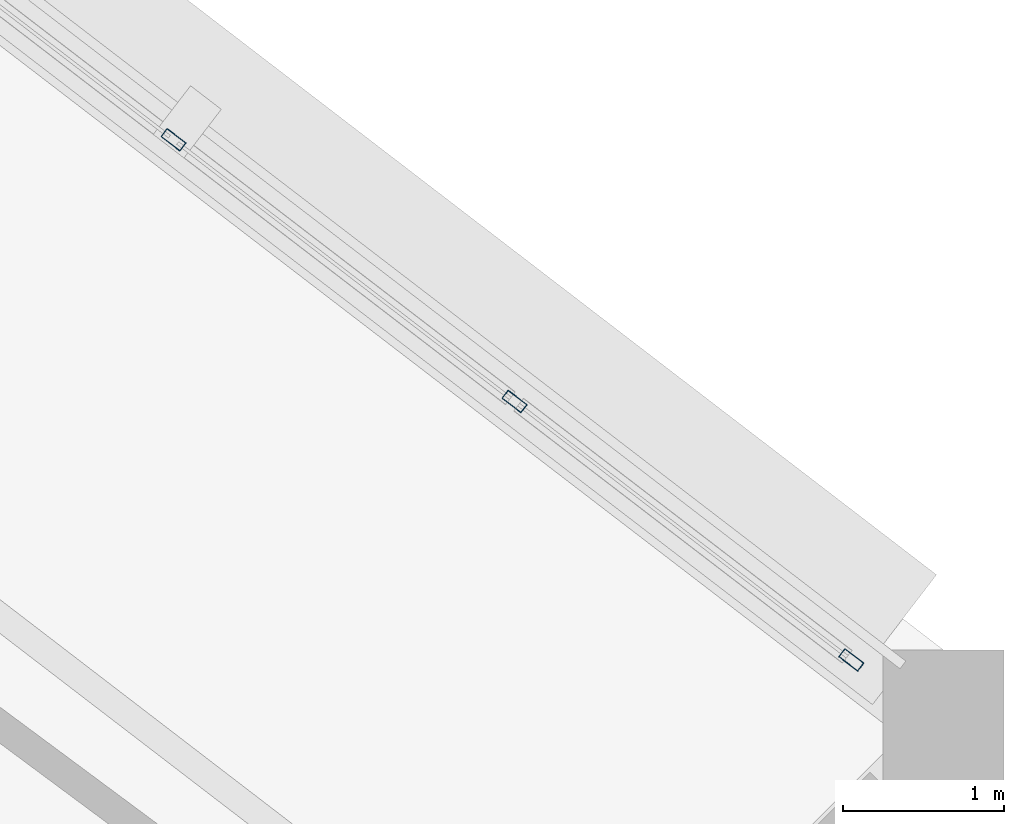
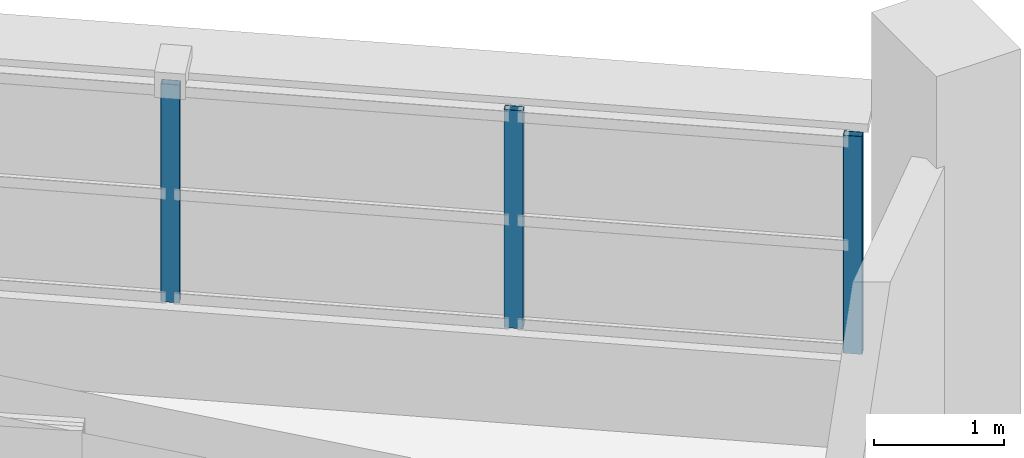
# One storey, part 37 of 53: 3 members, 1 element without a shape of its own.
"""IFC4 building model written with IfcOpenShell, lengths in metres."""

import ifcopenshell
import ifcopenshell.guid

model = None  # the IFC model being written
_history = None  # IfcOwnerHistory: only IFC2X3 demands one
_inside = {}  # id of a spatial element -> (the spatial element, [elements in it])
_under = {}  # id of a project, library or spatial element -> (it, [spatial elements below it])
_declared = {}  # id of a project -> (the project, [libraries it declares])
_typed = {}  # id of a type object -> (the type object, [elements of that type])
_made_of = {}  # id of a material, layer set ... -> (it, [elements and type objects made of it])


def new_model(schema):
    """Start an empty IFC model of exactly this schema.

    Asked for "IFC4X3", IfcOpenShell would pick the latest addendum, in which some entities
    have other attributes; the version numbers below select the first issue.
    IFC2X3 requires an IfcOwnerHistory on every rooted entity: one is made here for all.
    """
    global model, _history
    if schema == "IFC4X3":
        model = ifcopenshell.file(schema_version=(4, 3, 0, 0))
    else:
        model = ifcopenshell.file(schema=schema)
    _inside.clear()
    _under.clear()
    _declared.clear()
    _typed.clear()
    _made_of.clear()
    _history = None
    if model.schema == "IFC2X3":
        org = make("IfcOrganization", Name="unknown")
        user = make(
            "IfcPersonAndOrganization",
            ThePerson=make("IfcPerson", FamilyName="unknown"),
            TheOrganization=org,
        )
        app = make(
            "IfcApplication",
            ApplicationDeveloper=org,
            Version="unknown",
            ApplicationFullName="unknown",
            ApplicationIdentifier="unknown",
        )
        _history = make(
            "IfcOwnerHistory",
            OwningUser=user,
            OwningApplication=app,
            ChangeAction="ADDED",
            CreationDate=0,
        )
    return model


def make(cls, **values):
    """One entity of the class cls with the attributes given. An attribute that is None is left unset."""
    return model.create_entity(
        cls, **{name: value for name, value in values.items() if value is not None}
    )


def rooted(cls, **values):
    """An entity with a GlobalId (a new one), such as an element, a storey or a relation."""
    return make(cls, GlobalId=ifcopenshell.guid.new(), OwnerHistory=_history, **values)


def si_unit(unit_type, name, prefix=None):
    """IfcSIUnit, for example si_unit("LENGTHUNIT", "METRE", prefix="MILLI")."""
    return make("IfcSIUnit", UnitType=unit_type, Prefix=prefix, Name=name)


def assignment(units):
    """IfcUnitAssignment: the units of a project."""
    return None if units is None else make("IfcUnitAssignment", Units=units)


def point(xyz):
    """IfcCartesianPoint."""
    return None if xyz is None else make("IfcCartesianPoint", Coordinates=xyz)


def direction(xyz):
    """IfcDirection."""
    return None if xyz is None else make("IfcDirection", DirectionRatios=xyz)


def frame(location, z_axis=None, x_axis=None):
    """IfcAxis2Placement3D, a coordinate frame: its origin and axes. An axis left out is left unset."""
    return make(
        "IfcAxis2Placement3D",
        Location=point(location),
        Axis=direction(z_axis),
        RefDirection=direction(x_axis),
    )


def frame_2d(location, x_axis=None):
    """IfcAxis2Placement2D, a coordinate frame in the plane: its origin and x axis."""
    return make(
        "IfcAxis2Placement2D", Location=point(location), RefDirection=direction(x_axis)
    )


def origin():
    """The frame at (0, 0, 0) with its axes left unset."""
    return frame((0.0, 0.0, 0.0))


def origin_2d():
    """The frame at (0, 0) in the plane with its x axis left unset."""
    return frame_2d((0.0, 0.0))


def place(relative_to, where):
    """IfcLocalPlacement: puts the frame where relative to a parent placement (None: the world)."""
    return make(
        "IfcLocalPlacement", PlacementRelTo=relative_to, RelativePlacement=where
    )


def context(
    kind, dimensions, precision=None, world=None, true_north=None, identifier=None
):
    """IfcGeometricRepresentationContext, for example the 3D "Model" context."""
    return make(
        "IfcGeometricRepresentationContext",
        ContextIdentifier=identifier,
        ContextType=kind,
        CoordinateSpaceDimension=dimensions,
        Precision=precision,
        WorldCoordinateSystem=world,
        TrueNorth=true_north,
    )


def subcontext(parent, identifier, kind, view, scale=None):
    """IfcGeometricRepresentationSubContext, for example "Body" below "Model"."""
    return make(
        "IfcGeometricRepresentationSubContext",
        ContextIdentifier=identifier,
        ContextType=kind,
        ParentContext=parent,
        TargetScale=scale,
        TargetView=view,
    )


def project(units=None, contexts=None):
    """IfcProject with its units and contexts."""
    return rooted(
        "IfcProject",
        Name="project",
        RepresentationContexts=contexts,
        UnitsInContext=assignment(units),
    )


def spatial(cls, under=None, at=None, **own):
    """A site, building, storey or space (cls), placed at a placement, below another one or the project."""
    s = rooted(cls, ObjectPlacement=at, **own)
    if under is not None:
        _under.setdefault(under.id(), (under, []))[1].append(s)
    return s


def profile(cls, at=None, kind="AREA", **sizes):
    """A parametric profile (cls). Its sizes go by their IFC names, for example OverallWidth=200.0."""
    return make(cls, ProfileType=kind, Position=at, **sizes)


def hollow_rectangle(**sizes):
    """IfcRectangleHollowProfileDef."""
    return profile("IfcRectangleHollowProfileDef", **sizes)


def extrude(swept, where, along, depth):
    """IfcExtrudedAreaSolid: the profile swept, set in the frame where, extruded along a direction by depth."""
    return make(
        "IfcExtrudedAreaSolid",
        SweptArea=swept,
        Position=where,
        ExtrudedDirection=direction(along),
        Depth=depth,
    )


def shape(context_of_items, identifier, shape_type, items):
    """IfcShapeRepresentation: the items that make up one representation, for example the "Body"."""
    return make(
        "IfcShapeRepresentation",
        ContextOfItems=context_of_items,
        RepresentationIdentifier=identifier,
        RepresentationType=shape_type,
        Items=items,
    )


def material(Name=None, Category=None):
    """IfcMaterial."""
    return make("IfcMaterial", Name=Name, Category=Category)


def layer(
    of_material, thickness, ventilated=None, Name=None, Category=None, Priority=None
):
    """IfcMaterialLayer: one layer of a wall or slab, of a material (None: an air gap)."""
    return make(
        "IfcMaterialLayer",
        Material=of_material,
        LayerThickness=thickness,
        IsVentilated=ventilated,
        Name=Name,
        Category=Category,
        Priority=Priority,
    )


def layer_set(layers, Name=None):
    """IfcMaterialLayerSet."""
    return make("IfcMaterialLayerSet", MaterialLayers=layers, LayerSetName=Name)


def material_profile(
    of_material, cross_section, Name=None, Category=None, Priority=None
):
    """IfcMaterialProfile: a cross section and its material."""
    return make(
        "IfcMaterialProfile",
        Name=Name,
        Material=of_material,
        Profile=cross_section,
        Priority=Priority,
        Category=Category,
    )


def profile_set(profiles, Name=None, composite=None):
    """IfcMaterialProfileSet."""
    return make(
        "IfcMaterialProfileSet",
        Name=Name,
        MaterialProfiles=profiles,
        CompositeProfile=composite,
    )


def made_of(thing, what):
    """Note that an element or type object is made of a material, layer set ...; save() writes the relation."""
    if what is not None:
        _made_of.setdefault(what.id(), (what, []))[1].append(thing)
    return thing


def type_object(cls, material=None, **own):
    """A type object (cls), such as IfcWallType, which elements share."""
    return made_of(rooted(cls, **own), material)


def element(
    cls,
    number,
    at=None,
    inside=None,
    cuts=None,
    type_object=None,
    material=None,
    context=None,
    identifier="Body",
    shape_type=None,
    held_by="IfcProductDefinitionShape",
    body=None,
    shapes=None,
    **own,
):
    """One element of the class cls, such as IfcWall. Its Tag is "e" and its number.

    at: its placement. inside: the storey or other place that contains it. cuts: it is an
    opening in that element (IfcRelVoidsElement). A single representation is given by context,
    identifier, shape_type and body (its items); several are given by shapes. held_by: the class
    of the entity that holds the representations. save() writes the other relations.
    """
    e = rooted(cls, Tag="e%d" % number, ObjectPlacement=at, **own)
    if body is not None:
        shapes = [shape(context, identifier, shape_type, body)]
    if shapes is not None:
        e.Representation = make(held_by, Representations=shapes)
    if inside is not None:
        _inside.setdefault(inside.id(), (inside, []))[1].append(e)
    if cuts is not None:
        rooted(
            "IfcRelVoidsElement", RelatingBuildingElement=cuts, RelatedOpeningElement=e
        )
    if type_object is not None:
        _typed.setdefault(type_object.id(), (type_object, []))[1].append(e)
    return made_of(e, material)


def aggregate(whole, parts):
    """IfcRelAggregates: a whole, such as a stair, and the parts it consists of."""
    return rooted("IfcRelAggregates", RelatingObject=whole, RelatedObjects=parts)


def save(model, path):
    """Write the relations noted so far, then the file.

    IfcRelAggregates (storeys below a building ...), IfcRelContainedInSpatialStructure (elements
    in a storey), IfcRelDefinesByType, IfcRelAssociatesMaterial and IfcRelDeclares: one each for
    every whole, place, type object, material and project.
    """
    for whole, parts in _under.values():
        aggregate(whole, parts)
    for where, things in _inside.values():
        rooted(
            "IfcRelContainedInSpatialStructure",
            RelatedElements=things,
            RelatingStructure=where,
        )
    for kind, things in _typed.values():
        rooted("IfcRelDefinesByType", RelatedObjects=things, RelatingType=kind)
    for what, things in _made_of.values():
        rooted("IfcRelAssociatesMaterial", RelatedObjects=things, RelatingMaterial=what)
    for by, libraries in _declared.values():
        rooted("IfcRelDeclares", RelatingContext=by, RelatedDefinitions=libraries)
    model.write(path)


model = new_model("IFC4")

# Units and contexts
model_context = context("Model", 3, precision=1e-05, world=origin(), true_north=direction((0.0, 1.0)))
body_context = subcontext(model_context, "Body", "Model", "MODEL_VIEW")
ifc_project = project(units=[si_unit("LENGTHUNIT", "METRE"), si_unit("AREAUNIT", "SQUARE_METRE"), si_unit("VOLUMEUNIT", "CUBIC_METRE"), si_unit("PLANEANGLEUNIT", "RADIAN"), si_unit("MASSUNIT", "GRAM", prefix="KILO")], contexts=[model_context])

# Site, building, storey
site_placement = place(None, origin())
site = spatial("IfcSite", under=ifc_project, at=site_placement, CompositionType="ELEMENT")
building_placement = place(site_placement, origin())
building = spatial("IfcBuilding", under=site, at=building_placement, Name="Vespera Passage Community Centre", CompositionType="ELEMENT")
storey_placement = place(building_placement, frame((0.0, 0.0, 20.39990234375)))
storey = spatial("IfcBuildingStorey", under=building, at=storey_placement, Name="L05", CompositionType="ELEMENT", Elevation=20.39990234375)

# Curtain wall, members
ifc_material_1 = material(Name="Anodized aluminium 6063-T6", Category="aluminium")
ifc_layer = layer(ifc_material_1, 0.159912109375)
ifc_layer_set = layer_set([ifc_layer], Name="Anodized aluminium 6063-T6")
curtain_wall_type = type_object("IfcCurtainWallType", Name="CW-69E", PredefinedType="NOTDEFINED", material=ifc_layer_set)
curtain_wall_placement = place(storey_placement, origin())
curtain_wall = element("IfcCurtainWall", 1, at=curtain_wall_placement, inside=storey, type_object=curtain_wall_type, Name="V4 L05 Outer Ribbon Curtain Wall 3", PredefinedType="NOTDEFINED")
ifc_material_2 = material(Name="Anodized aluminium 6063-T6", Category="aluminium")
ifc_material_profile = material_profile(ifc_material_2, hollow_rectangle(XDim=0.06494140625, YDim=0.14990234375, WallThickness=0.00390625, InnerFilletRadius=0.001953125, OuterFilletRadius=0.00390625, at=origin_2d()), Name="ALU150X65X4")
ifc_profile_set = profile_set([ifc_material_profile], Name="Anodized aluminium 6063-T6")
member_type = type_object("IfcMemberType", Name="MB-CWM-150E", PredefinedType="MULLION", material=ifc_profile_set)
member_1_placement = place(storey_placement, frame((105.82373046875, 101.7607421875, 0.820068359375), z_axis=(0.0, 0.0, 1.0), x_axis=(0.608771824991, 0.793345363065, 0.0)))
member_1 = element("IfcMember", 2, at=member_1_placement, type_object=member_type, Name="CW-69E mullion 3", PredefinedType="MULLION", context=body_context, shape_type="SweptSolid", body=[
    extrude(hollow_rectangle(XDim=0.06494140625, YDim=0.14990234375, WallThickness=0.00390625, InnerFilletRadius=0.001953125, OuterFilletRadius=0.00390625, at=origin_2d()), origin(), (0.0, 0.0, 1.0), 2.0458984375),
])
member_2_placement = place(storey_placement, frame((107.93798828125, 100.138427734375, 0.820068359375), z_axis=(0.0, 0.0, 1.0), x_axis=(0.608771824991, 0.793345363065, 0.0)))
member_2 = element("IfcMember", 3, at=member_2_placement, type_object=member_type, Name="CW-69E mullion 4", PredefinedType="MULLION", context=body_context, shape_type="SweptSolid", body=[
    extrude(hollow_rectangle(XDim=0.06494140625, YDim=0.14990234375, WallThickness=0.00390625, InnerFilletRadius=0.001953125, OuterFilletRadius=0.00390625, at=origin_2d()), origin(), (0.0, 0.0, 1.0), 2.0458984375),
])
member_3_placement = place(storey_placement, frame((110.026123046875, 98.535888671875, 0.820068359375), z_axis=(0.0, 0.0, 1.0), x_axis=(0.608771824991, 0.793345363065, 0.0)))
member_3 = element("IfcMember", 4, at=member_3_placement, type_object=member_type, Name="CW-69E mullion 5", PredefinedType="MULLION", context=body_context, shape_type="SweptSolid", body=[
    extrude(hollow_rectangle(XDim=0.06494140625, YDim=0.14990234375, WallThickness=0.00390625, InnerFilletRadius=0.001953125, OuterFilletRadius=0.00390625, at=origin_2d()), origin(), (0.0, 0.0, 1.0), 2.0458984375),
])
aggregate(curtain_wall, [member_1, member_2, member_3])

save(model, "model.ifc")
